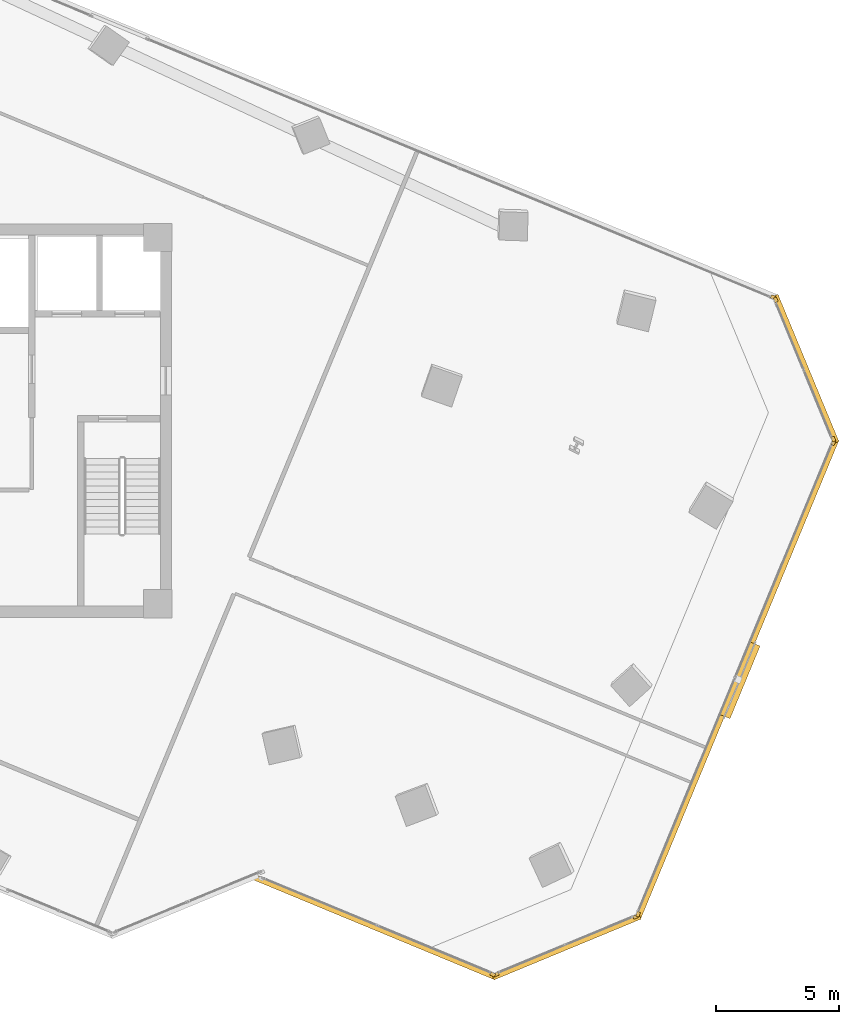
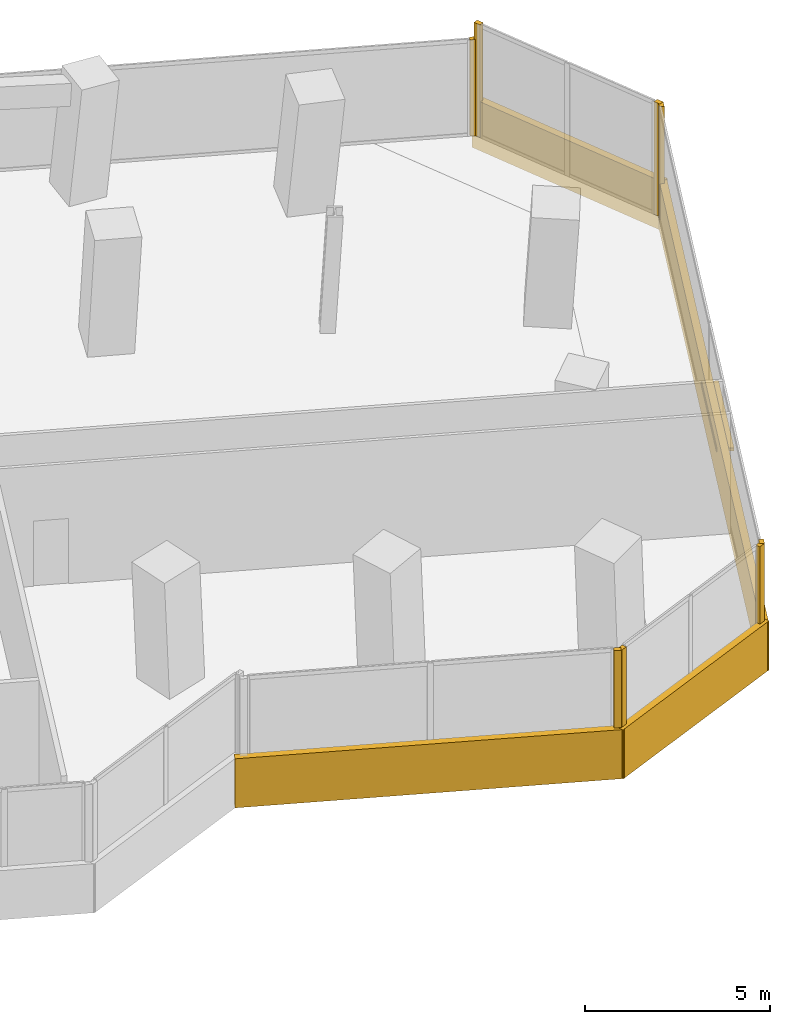
# One storey, part 21 of 22: 12 coverings, 1 shading device.
"""IFC4 building model written with IfcOpenShell, lengths in metres."""

from ifc_helpers import new_model, si_unit, direction, frame, origin, origin_2d, place, context, subcontext, project, spatial, rectangle, extrude, source, transform, mapped, material, layer, layer_set, type_object, element, save


model = new_model("IFC4")

# Units and contexts
model_context = context("Model", 3, precision=1e-05, world=origin(), true_north=direction((0.0, 1.0)))
body_context = subcontext(model_context, "Body", "Model", "MODEL_VIEW")
ifc_project = project(units=[si_unit("LENGTHUNIT", "METRE"), si_unit("AREAUNIT", "SQUARE_METRE"), si_unit("VOLUMEUNIT", "CUBIC_METRE"), si_unit("PLANEANGLEUNIT", "RADIAN"), si_unit("MASSUNIT", "GRAM", prefix="KILO")], contexts=[model_context])

# Site, building, storey
site_placement = place(None, origin())
site = spatial("IfcSite", under=ifc_project, at=site_placement, CompositionType="ELEMENT")
building_placement = place(site_placement, origin())
building = spatial("IfcBuilding", under=site, at=building_placement, Name="Torre Montelarca", CompositionType="ELEMENT")
storey_placement = place(building_placement, frame((0.0, 0.0, 149.800048828125)))
storey = spatial("IfcBuildingStorey", under=building, at=storey_placement, Name="L33", CompositionType="ELEMENT", Elevation=149.800048828125)

# Coverings
ifc_material_1 = material(Name="Bush-hammered warm white precast concrete C45/55", Category="concrete")
ifc_layer_1 = layer(ifc_material_1, 0.139892578125, Name="Bush-hammered warm white precast concrete C45/55", Category="concrete")
ifc_layer_set_1 = layer_set([ifc_layer_1], Name="Bush-hammered warm white precast concrete C45/55")
covering_type = type_object("IfcCoveringType", Name="COV-TRAY-CLAD", PredefinedType="CLADDING", material=ifc_layer_set_1)
shared_shape_1 = source(origin(), body_context, "Body", "SweptSolid", [
    extrude(rectangle(XDim=6.48388671875, YDim=0.219970703125, at=origin_2d()), origin(), (0.0, 0.0, 1.0), 1.6201171875),
])
for number, where, z_axis, x_axis, name in (
    (1, (43.07568359375, 10.58447265625, -0.4501953125), (0.0, 0.0, 1.0), (0.923885543575, 0.382668920052, 0.0), "L33 Architectural White Spandrel Tray Band TRYBOT-05"),
    (2, (52.81787109375, 34.10400390625, -0.4501953125), (0.0, 0.0, 1.0), (-0.3826737575, 0.923883539912, 0.0), "L33 Architectural White Spandrel Tray Band TRYBOT-07"),
):
    element("IfcCovering", number, at=place(storey_placement, frame(where, z_axis=z_axis, x_axis=x_axis)), inside=storey, type_object=covering_type, Name=name, PredefinedType="CLADDING", context=body_context, shape_type="MappedRepresentation", body=[
        mapped(shared_shape_1, transform((0.0, 0.0, 0.0), scale=1.0)),
    ])
shared_shape_2 = source(origin(), body_context, "Body", "SweptSolid", [
    extrude(rectangle(XDim=21.1201171875, YDim=0.219970703125, at=origin_2d()), origin(), (0.0, 0.0, 1.0), 1.6201171875),
])
covering_1_placement = place(storey_placement, frame((50.017333984375, 21.486572265625, -0.4501953125), z_axis=(0.0, 0.0, 1.0), x_axis=(0.382680207415, 0.923880868323, 0.0)))
element("IfcCovering", 3, at=covering_1_placement, inside=storey, type_object=covering_type, Name="L33 Architectural White Spandrel Tray Band TRYBOT-06", PredefinedType="CLADDING", context=body_context, shape_type="MappedRepresentation", body=[
    mapped(shared_shape_2, transform((0.0, 0.0, 0.0), scale=1.0)),
])

# Shading device
ifc_material_2 = material(Name="Anodised champagne bronze aluminium AA 6063-T6", Category="aluminium")
ifc_layer_2 = layer(ifc_material_2, 0.070068359375, Name="Anodised champagne bronze aluminium AA 6063-T6", Category="aluminium")
ifc_layer_set_2 = layer_set([ifc_layer_2], Name="Anodised champagne bronze aluminium AA 6063-T6")
shading_device_type = type_object("IfcShadingDeviceType", Name="SHD-SUNSHADE-1", PredefinedType="USERDEFINED", material=ifc_layer_set_2)
shared_shape_3 = source(origin(), body_context, "Body", "SweptSolid", [
    extrude(rectangle(XDim=3.199951171875, YDim=0.47998046875, at=origin_2d()), origin(), (0.0, 0.0, 1.0), 0.10009765625),
])
shading_device_placement = place(storey_placement, frame((50.119140625, 21.4443359375, 0.56982421875), z_axis=(0.0, 0.0, 1.0), x_axis=(0.382680207415, 0.923880868323, 0.0)))
element("IfcShadingDevice", 4, at=shading_device_placement, inside=storey, type_object=shading_device_type, Name="L33 Facade Solar Shading Device E6", ObjectType="SUNSHADE", PredefinedType="USERDEFINED", context=body_context, shape_type="MappedRepresentation", body=[
    mapped(shared_shape_3, transform((0.0, 0.0, 0.0), scale=1.0)),
])

# Coverings
shared_shape_4 = source(origin(), body_context, "Body", "SweptSolid", [
    extrude(rectangle(XDim=0.199951171875, YDim=0.139892578125, at=origin_2d()), origin(), (0.0, 0.0, 1.0), 3.719970703125),
])
for number, where, z_axis, x_axis, name in (
    (5, (40.07470703125, 9.466552734375, 0.0), (0.0, 0.0, 1.0), (0.923882872019, -0.382675369981, 0.0), "L33 Architectural Column Pier Cladding E04-2"),
    (6, (40.219970703125, 9.466552734375, 0.0), (0.0, 0.0, 1.0), (0.923885543575, 0.382668920052, 0.0), "L33 Architectural Column Pier Cladding E05-1"),
    (7, (45.885498046875, 11.81298828125, 0.0), (0.0, 0.0, 1.0), (0.923885543575, 0.382668920052, 0.0), "L33 Architectural Column Pier Cladding E05-2"),
    (8, (45.98828125, 11.915771484375, 0.0), (0.0, 0.0, 1.0), (0.382681819891, 0.923880200418, 0.0), "L33 Architectural Column Pier Cladding E06-1"),
    (9, (53.935791015625, 31.103271484375, 0.0), (0.0, 0.0, 1.0), (0.382681819891, 0.923880200418, 0.0), "L33 Architectural Column Pier Cladding E06-2"),
    (10, (53.935791015625, 31.248291015625, 0.0), (0.0, 0.0, 1.0), (-0.382675369981, 0.923882872019, 0.0), "L33 Architectural Column Pier Cladding E07-1"),
    (11, (51.589111328125, 36.913818359375, 0.0), (0.0, 0.0, 1.0), (-0.382675369981, 0.923882872019, 0.0), "L33 Architectural Column Pier Cladding E07-2"),
):
    element("IfcCovering", number, at=place(storey_placement, frame(where, z_axis=z_axis, x_axis=x_axis)), inside=storey, type_object=covering_type, Name=name, PredefinedType="CLADDING", context=body_context, shape_type="MappedRepresentation", body=[
        mapped(shared_shape_4, transform((0.0, 0.0, 0.0), scale=1.0)),
    ])
shared_shape_5 = source(origin(), body_context, "Body", "SweptSolid", [
    extrude(rectangle(XDim=0.199951171875, YDim=0.139892578125, at=origin_2d()), origin(), (0.0, 0.0, 1.0), 3.175048828125),
])
covering_2_placement = place(storey_placement, frame((51.486572265625, 37.0166015625, 0.0), z_axis=(0.0, 0.0, 1.0), x_axis=(-0.923878864601, 0.382685044838, 0.0)))
element("IfcCovering", 12, at=covering_2_placement, inside=storey, type_object=covering_type, Name="L33 Architectural Column Pier Cladding E08-1", PredefinedType="CLADDING", context=body_context, shape_type="MappedRepresentation", body=[
    mapped(shared_shape_5, transform((0.0, 0.0, 0.0), scale=1.0)),
])
shared_shape_6 = source(origin(), body_context, "Body", "SweptSolid", [
    extrude(rectangle(XDim=10.619873046875, YDim=0.219970703125, at=origin_2d()), origin(), (0.0, 0.0, 1.0), 1.6201171875),
])
covering_3_placement = place(storey_placement, frame((35.30859375, 11.375732421875, -0.4501953125), z_axis=(0.0, 0.0, 1.0), x_axis=(0.923881536224, -0.382678594938, 0.0)))
element("IfcCovering", 13, at=covering_3_placement, inside=storey, type_object=covering_type, Name="L33 Architectural White Spandrel Tray Band TRYBOT-04", PredefinedType="CLADDING", context=body_context, shape_type="MappedRepresentation", body=[
    mapped(shared_shape_6, transform((0.0, 0.0, 0.0), scale=1.0)),
])

save(model, "model.ifc")
